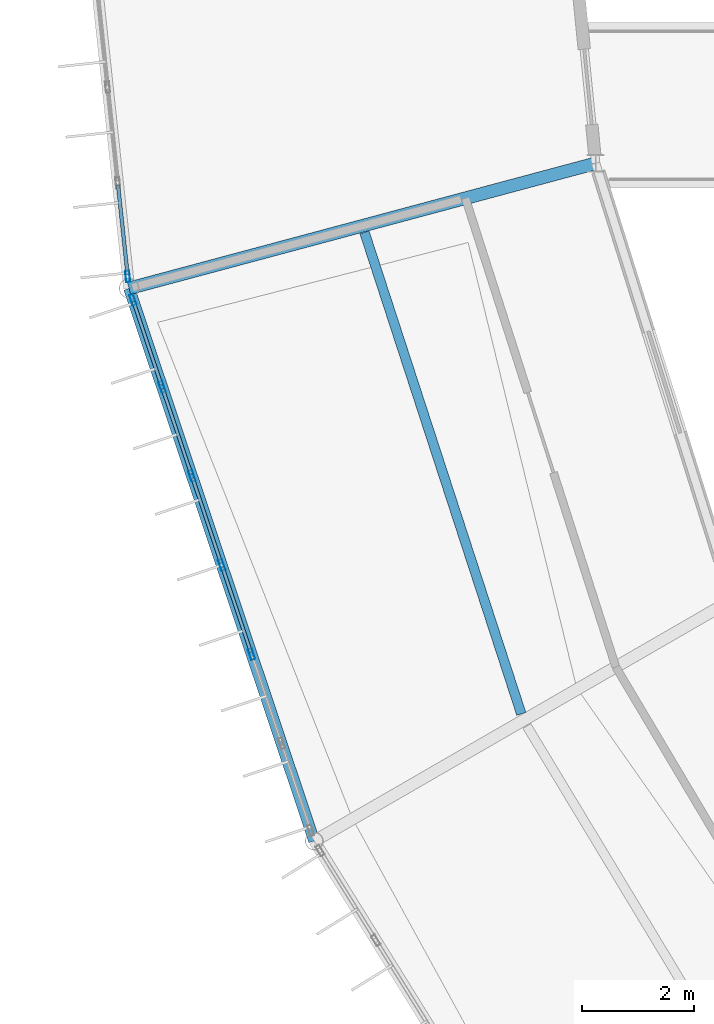
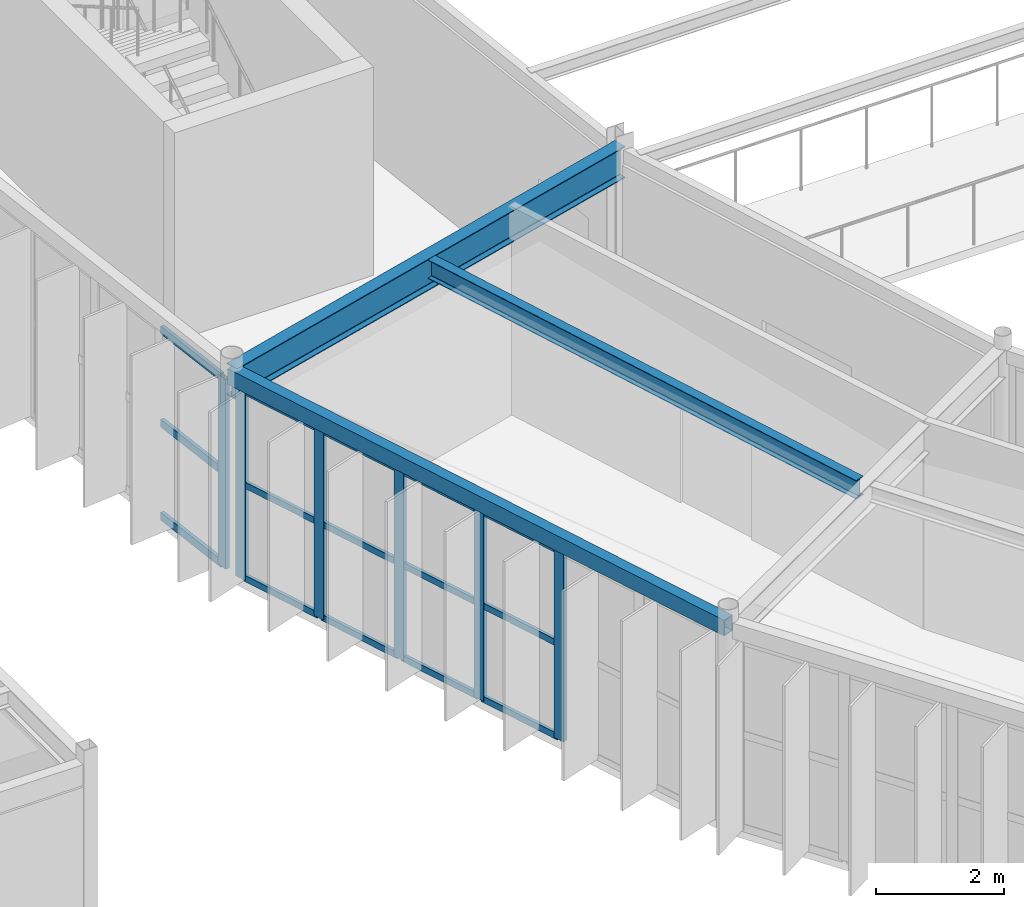
# One storey, part 41 of 148: 21 members, 3 beams, 2 elements without a shape of their own.
"""IFC4 building model written with IfcOpenShell, lengths in metres."""

from ifc_helpers import new_model, si_unit, direction, frame, origin, origin_2d, place, context, subcontext, project, spatial, hollow_rectangle, i_section, extrude, material, material_profile, profile_set, type_object, element, aggregate, save


model = new_model("IFC4")

# Units and contexts
model_context = context("Model", 3, precision=1e-05, world=origin(), true_north=direction((0.0, 1.0)))
body_context = subcontext(model_context, "Body", "Model", "MODEL_VIEW")
ifc_project = project(units=[si_unit("LENGTHUNIT", "METRE"), si_unit("AREAUNIT", "SQUARE_METRE"), si_unit("VOLUMEUNIT", "CUBIC_METRE"), si_unit("PLANEANGLEUNIT", "RADIAN"), si_unit("MASSUNIT", "GRAM", prefix="KILO")], contexts=[model_context])

# Site, building, storey
site_placement = place(None, origin())
site = spatial("IfcSite", under=ifc_project, at=site_placement, CompositionType="ELEMENT")
building_placement = place(site_placement, origin())
building = spatial("IfcBuilding", under=site, at=building_placement, Name="Karori Crest Natural Sciences Institute", CompositionType="ELEMENT")
storey_placement = place(building_placement, frame((0.0, 0.0, 4.89990234375)))
storey = spatial("IfcBuildingStorey", under=building, at=storey_placement, Name="L01", CompositionType="ELEMENT", Elevation=4.89990234375)

# Beams
ifc_material_1 = material(Name="Hollow structural steel AS/NZS 1163 Grade C350", Category="steel")
ifc_material_profile_1 = material_profile(ifc_material_1, hollow_rectangle(XDim=0.199951171875, YDim=0.300048828125, WallThickness=0.010009765625, at=origin_2d()), Name="RHS300x200x10")
ifc_profile_set_1 = profile_set([ifc_material_profile_1], Name="Hollow structural steel AS/NZS 1163 Grade C350")
beam_type_1 = type_object("IfcBeamType", Name="BT-15", PredefinedType="SPANDREL", material=ifc_profile_set_1)
beam_1_placement = place(storey_placement, frame((34.5244140625, 39.340087890625, 3.7900390625), z_axis=(0.317688324477, -0.948195195353, 0.0), x_axis=(0.948195195353, 0.317688324477, 0.0)))
element("IfcBeam", 1, at=beam_1_placement, inside=storey, type_object=beam_type_1, Name="Beam B-0228", PredefinedType="SPANDREL", context=body_context, shape_type="SweptSolid", body=[
    extrude(hollow_rectangle(XDim=0.199951171875, YDim=0.300048828125, WallThickness=0.010009765625, at=origin_2d()), origin(), (0.0, 0.0, 1.0), 10.377685546875),
])
ifc_material_2 = material(Name="Structural steel AS/NZS 3679.1 Grade 350", Category="steel")
ifc_material_profile_2 = material_profile(ifc_material_2, i_section(OverallWidth=0.22802734375, OverallDepth=0.60205078125, WebThickness=0.010498046875, FlangeThickness=0.014892578125, FilletRadius=0.013916015625, at=origin_2d()), Name="610UB101")
ifc_profile_set_2 = profile_set([ifc_material_profile_2], Name="Structural steel AS/NZS 3679.1 Grade 350")
beam_type_2 = type_object("IfcBeamType", Name="BT-27", PredefinedType="BEAM", material=ifc_profile_set_2)
beam_2_placement = place(storey_placement, frame((42.831298828125, 41.56591796875, 3.63916015625), z_axis=(-0.965925622404, -0.258819806009, 0.0), x_axis=(0.258819806009, -0.965925622404, 0.0)))
element("IfcBeam", 2, at=beam_2_placement, inside=storey, type_object=beam_type_2, Name="Beam B-0230", PredefinedType="BEAM", context=body_context, shape_type="SweptSolid", body=[
    extrude(i_section(OverallWidth=0.22802734375, OverallDepth=0.60205078125, WebThickness=0.010498046875, FlangeThickness=0.014892578125, FilletRadius=0.013916015625, at=origin_2d()), origin(), (0.0, 0.0, 1.0), 8.599853515625),
])
ifc_material_profile_3 = material_profile(ifc_material_2, i_section(OverallWidth=0.1708984375, OverallDepth=0.35595703125, WebThickness=0.00732421875, FlangeThickness=0.011474609375, FilletRadius=0.010986328125, at=origin_2d()), Name="360UB50.7")
ifc_profile_set_3 = profile_set([ifc_material_profile_3], Name="Structural steel AS/NZS 3679.1 Grade 350")
beam_type_3 = type_object("IfcBeamType", Name="BT-30", PredefinedType="BEAM", material=ifc_profile_set_3)
beam_3_placement = place(storey_placement, frame((38.715087890625, 40.339111328125, 3.76220703125), z_axis=(0.309674277679, -0.950842700842, 0.0), x_axis=(0.950842700842, 0.309674277679, 0.0)))
element("IfcBeam", 3, at=beam_3_placement, inside=storey, type_object=beam_type_3, Name="Beam B-0231", PredefinedType="BEAM", context=body_context, shape_type="SweptSolid", body=[
    extrude(i_section(OverallWidth=0.1708984375, OverallDepth=0.35595703125, WebThickness=0.00732421875, FlangeThickness=0.011474609375, FilletRadius=0.010986328125, at=origin_2d()), origin(), (0.0, 0.0, 1.0), 9.018310546875),
])

# Curtain wall, member
ifc_material_3 = material(Name="Anodised architectural aluminium 6063-T6", Category="aluminium")
curtain_wall_type_1 = type_object("IfcCurtainWallType", Name="CWT-03", PredefinedType="NOTDEFINED", material=ifc_material_3)
curtain_wall_1_placement = place(storey_placement, origin())
curtain_wall_1 = element("IfcCurtainWall", 4, at=curtain_wall_1_placement, inside=storey, type_object=curtain_wall_type_1, Name="Curtain wall CW-0048", PredefinedType="NOTDEFINED")
ifc_material_profile_4 = material_profile(ifc_material_3, hollow_rectangle(XDim=0.074951171875, YDim=0.199951171875, WallThickness=0.0048828125, at=origin_2d()), Name="CWM200x75x5")
ifc_profile_set_4 = profile_set([ifc_material_profile_4], Name="Anodised architectural aluminium 6063-T6")
member_type_1 = type_object("IfcMemberType", Name="CWM-02", PredefinedType="MULLION", material=ifc_profile_set_4)
member_1_placement = place(storey_placement, frame((34.501708984375, 39.55224609375, 0.0), z_axis=(0.0, 0.0, 1.0), x_axis=(-0.994378742451, -0.105881615789, 0.0)))
member_1 = element("IfcMember", 5, at=member_1_placement, type_object=member_type_1, Name="CW-0048 mullion 1", PredefinedType="MULLION", context=body_context, shape_type="SweptSolid", body=[
    extrude(hollow_rectangle(XDim=0.074951171875, YDim=0.199951171875, WallThickness=0.0048828125, at=origin_2d()), origin(), (0.0, 0.0, 1.0), 3.625),
])

# Curtain wall, members
curtain_wall_type_2 = type_object("IfcCurtainWallType", Name="CWT-04", PredefinedType="NOTDEFINED", material=ifc_material_3)
curtain_wall_2_placement = place(storey_placement, origin())
curtain_wall_2 = element("IfcCurtainWall", 6, at=curtain_wall_2_placement, inside=storey, type_object=curtain_wall_type_2, Name="Curtain wall CW-0049", PredefinedType="NOTDEFINED")
member_2_placement = place(storey_placement, frame((36.70703125, 32.82568359375, 0.0), z_axis=(0.0, 0.0, 1.0), x_axis=(-0.948196219586, -0.317685267462, 0.0)))
member_2 = element("IfcMember", 7, at=member_2_placement, type_object=member_type_1, Name="CW-0049 mullion 3", PredefinedType="MULLION", context=body_context, shape_type="SweptSolid", body=[
    extrude(hollow_rectangle(XDim=0.074951171875, YDim=0.199951171875, WallThickness=0.0048828125, at=origin_2d()), origin(), (0.0, 0.0, 1.0), 3.625),
])
member_3_placement = place(storey_placement, frame((36.17529296875, 34.41259765625, 0.0), z_axis=(0.0, 0.0, 1.0), x_axis=(-0.948196219586, -0.317685267462, 0.0)))
member_3 = element("IfcMember", 8, at=member_3_placement, type_object=member_type_1, Name="CW-0049 mullion 4", PredefinedType="MULLION", context=body_context, shape_type="SweptSolid", body=[
    extrude(hollow_rectangle(XDim=0.074951171875, YDim=0.199951171875, WallThickness=0.0048828125, at=origin_2d()), origin(), (0.0, 0.0, 1.0), 3.625),
])
member_4_placement = place(storey_placement, frame((35.6435546875, 35.99951171875, 0.0), z_axis=(0.0, 0.0, 1.0), x_axis=(-0.948196219586, -0.317685267462, 0.0)))
member_4 = element("IfcMember", 9, at=member_4_placement, type_object=member_type_1, Name="CW-0049 mullion 5", PredefinedType="MULLION", context=body_context, shape_type="SweptSolid", body=[
    extrude(hollow_rectangle(XDim=0.074951171875, YDim=0.199951171875, WallThickness=0.0048828125, at=origin_2d()), origin(), (0.0, 0.0, 1.0), 3.625),
])
member_5_placement = place(storey_placement, frame((35.11181640625, 37.58642578125, 0.0), z_axis=(0.0, 0.0, 1.0), x_axis=(-0.948196219586, -0.317685267462, 0.0)))
member_5 = element("IfcMember", 10, at=member_5_placement, type_object=member_type_1, Name="CW-0049 mullion 6", PredefinedType="MULLION", context=body_context, shape_type="SweptSolid", body=[
    extrude(hollow_rectangle(XDim=0.074951171875, YDim=0.199951171875, WallThickness=0.0048828125, at=origin_2d()), origin(), (0.0, 0.0, 1.0), 3.625),
])
member_6_placement = place(storey_placement, frame((34.592041015625, 39.137939453125, 0.0), z_axis=(0.0, 0.0, 1.0), x_axis=(-0.948196219586, -0.317685267462, 0.0)))
member_6 = element("IfcMember", 11, at=member_6_placement, type_object=member_type_1, Name="CW-0049 mullion 7", PredefinedType="MULLION", context=body_context, shape_type="SweptSolid", body=[
    extrude(hollow_rectangle(XDim=0.074951171875, YDim=0.199951171875, WallThickness=0.0048828125, at=origin_2d()), origin(), (0.0, 0.0, 1.0), 3.625),
])
ifc_material_profile_5 = material_profile(ifc_material_3, hollow_rectangle(XDim=0.06005859375, YDim=0.1201171875, WallThickness=0.00390625, at=origin_2d()), Name="CWT120x60x4")
ifc_profile_set_5 = profile_set([ifc_material_profile_5], Name="Anodised architectural aluminium 6063-T6")
member_type_2 = type_object("IfcMemberType", Name="CWT-TR1", PredefinedType="USERDEFINED", material=ifc_profile_set_5)
member_7_placement = place(storey_placement, frame((36.695068359375, 32.861083984375, 0.030029296875), z_axis=(-0.317647663217, 0.948208817747, 0.0), x_axis=(-0.948208817747, -0.317647663217, 0.0)))
member_7 = element("IfcMember", 12, at=member_7_placement, type_object=member_type_2, Name="CW-0049 transom 3.1", ObjectType="TRANSOM", PredefinedType="USERDEFINED", context=body_context, shape_type="SweptSolid", body=[
    extrude(hollow_rectangle(XDim=0.06005859375, YDim=0.1201171875, WallThickness=0.00390625, at=origin_2d()), origin(), (0.0, 0.0, 1.0), 1.5986328125),
])
member_8_placement = place(storey_placement, frame((36.695068359375, 32.861083984375, 1.8125), z_axis=(-0.317647663217, 0.948208817747, 0.0), x_axis=(-0.948208817747, -0.317647663217, 0.0)))
member_8 = element("IfcMember", 13, at=member_8_placement, type_object=member_type_2, Name="CW-0049 transom 3.2", ObjectType="TRANSOM", PredefinedType="USERDEFINED", context=body_context, shape_type="SweptSolid", body=[
    extrude(hollow_rectangle(XDim=0.06005859375, YDim=0.1201171875, WallThickness=0.00390625, at=origin_2d()), origin(), (0.0, 0.0, 1.0), 1.5986328125),
])
member_9_placement = place(storey_placement, frame((36.695068359375, 32.861083984375, 3.59521484375), z_axis=(-0.317647663217, 0.948208817747, 0.0), x_axis=(-0.948208817747, -0.317647663217, 0.0)))
member_9 = element("IfcMember", 14, at=member_9_placement, type_object=member_type_2, Name="CW-0049 transom 3.3", ObjectType="TRANSOM", PredefinedType="USERDEFINED", context=body_context, shape_type="SweptSolid", body=[
    extrude(hollow_rectangle(XDim=0.06005859375, YDim=0.1201171875, WallThickness=0.00390625, at=origin_2d()), origin(), (0.0, 0.0, 1.0), 1.5986328125),
])
member_10_placement = place(storey_placement, frame((36.163330078125, 34.4482421875, 0.030029296875), z_axis=(-0.317647663217, 0.948208817747, 0.0), x_axis=(-0.948208817747, -0.317647663217, 0.0)))
member_10 = element("IfcMember", 15, at=member_10_placement, type_object=member_type_2, Name="CW-0049 transom 4.1", ObjectType="TRANSOM", PredefinedType="USERDEFINED", context=body_context, shape_type="SweptSolid", body=[
    extrude(hollow_rectangle(XDim=0.06005859375, YDim=0.1201171875, WallThickness=0.00390625, at=origin_2d()), origin(), (0.0, 0.0, 1.0), 1.5986328125),
])
member_11_placement = place(storey_placement, frame((36.163330078125, 34.4482421875, 1.8125), z_axis=(-0.317647663217, 0.948208817747, 0.0), x_axis=(-0.948208817747, -0.317647663217, 0.0)))
member_11 = element("IfcMember", 16, at=member_11_placement, type_object=member_type_2, Name="CW-0049 transom 4.2", ObjectType="TRANSOM", PredefinedType="USERDEFINED", context=body_context, shape_type="SweptSolid", body=[
    extrude(hollow_rectangle(XDim=0.06005859375, YDim=0.1201171875, WallThickness=0.00390625, at=origin_2d()), origin(), (0.0, 0.0, 1.0), 1.5986328125),
])
member_12_placement = place(storey_placement, frame((36.163330078125, 34.4482421875, 3.59521484375), z_axis=(-0.317647663217, 0.948208817747, 0.0), x_axis=(-0.948208817747, -0.317647663217, 0.0)))
member_12 = element("IfcMember", 17, at=member_12_placement, type_object=member_type_2, Name="CW-0049 transom 4.3", ObjectType="TRANSOM", PredefinedType="USERDEFINED", context=body_context, shape_type="SweptSolid", body=[
    extrude(hollow_rectangle(XDim=0.06005859375, YDim=0.1201171875, WallThickness=0.00390625, at=origin_2d()), origin(), (0.0, 0.0, 1.0), 1.5986328125),
])
member_13_placement = place(storey_placement, frame((35.631591796875, 36.03515625, 0.030029296875), z_axis=(-0.317647663217, 0.948208817747, 0.0), x_axis=(-0.948208817747, -0.317647663217, 0.0)))
member_13 = element("IfcMember", 18, at=member_13_placement, type_object=member_type_2, Name="CW-0049 transom 5.1", ObjectType="TRANSOM", PredefinedType="USERDEFINED", context=body_context, shape_type="SweptSolid", body=[
    extrude(hollow_rectangle(XDim=0.06005859375, YDim=0.1201171875, WallThickness=0.00390625, at=origin_2d()), origin(), (0.0, 0.0, 1.0), 1.5986328125),
])
member_14_placement = place(storey_placement, frame((35.631591796875, 36.03515625, 1.8125), z_axis=(-0.317647663217, 0.948208817747, 0.0), x_axis=(-0.948208817747, -0.317647663217, 0.0)))
member_14 = element("IfcMember", 19, at=member_14_placement, type_object=member_type_2, Name="CW-0049 transom 5.2", ObjectType="TRANSOM", PredefinedType="USERDEFINED", context=body_context, shape_type="SweptSolid", body=[
    extrude(hollow_rectangle(XDim=0.06005859375, YDim=0.1201171875, WallThickness=0.00390625, at=origin_2d()), origin(), (0.0, 0.0, 1.0), 1.5986328125),
])
member_15_placement = place(storey_placement, frame((35.631591796875, 36.03515625, 3.59521484375), z_axis=(-0.317647663217, 0.948208817747, 0.0), x_axis=(-0.948208817747, -0.317647663217, 0.0)))
member_15 = element("IfcMember", 20, at=member_15_placement, type_object=member_type_2, Name="CW-0049 transom 5.3", ObjectType="TRANSOM", PredefinedType="USERDEFINED", context=body_context, shape_type="SweptSolid", body=[
    extrude(hollow_rectangle(XDim=0.06005859375, YDim=0.1201171875, WallThickness=0.00390625, at=origin_2d()), origin(), (0.0, 0.0, 1.0), 1.5986328125),
])
member_16_placement = place(storey_placement, frame((35.10009765625, 37.6220703125, 0.030029296875), z_axis=(-0.317775562464, 0.948165962214, 0.0), x_axis=(-0.948165962214, -0.317775562464, 0.0)))
member_16 = element("IfcMember", 21, at=member_16_placement, type_object=member_type_2, Name="CW-0049 transom 6.1", ObjectType="TRANSOM", PredefinedType="USERDEFINED", context=body_context, shape_type="SweptSolid", body=[
    extrude(hollow_rectangle(XDim=0.06005859375, YDim=0.1201171875, WallThickness=0.00390625, at=origin_2d()), origin(), (0.0, 0.0, 1.0), 1.56103515625),
])
member_17_placement = place(storey_placement, frame((35.10009765625, 37.6220703125, 1.8125), z_axis=(-0.317775562464, 0.948165962214, 0.0), x_axis=(-0.948165962214, -0.317775562464, 0.0)))
member_17 = element("IfcMember", 22, at=member_17_placement, type_object=member_type_2, Name="CW-0049 transom 6.2", ObjectType="TRANSOM", PredefinedType="USERDEFINED", context=body_context, shape_type="SweptSolid", body=[
    extrude(hollow_rectangle(XDim=0.06005859375, YDim=0.1201171875, WallThickness=0.00390625, at=origin_2d()), origin(), (0.0, 0.0, 1.0), 1.56103515625),
])
member_18_placement = place(storey_placement, frame((35.10009765625, 37.6220703125, 3.59521484375), z_axis=(-0.317775562464, 0.948165962214, 0.0), x_axis=(-0.948165962214, -0.317775562464, 0.0)))
member_18 = element("IfcMember", 23, at=member_18_placement, type_object=member_type_2, Name="CW-0049 transom 6.3", ObjectType="TRANSOM", PredefinedType="USERDEFINED", context=body_context, shape_type="SweptSolid", body=[
    extrude(hollow_rectangle(XDim=0.06005859375, YDim=0.1201171875, WallThickness=0.00390625, at=origin_2d()), origin(), (0.0, 0.0, 1.0), 1.56103515625),
])
aggregate(curtain_wall_2, [member_2, member_3, member_4, member_5, member_6, member_7, member_8, member_9, member_10, member_11, member_12, member_13, member_14, member_15, member_16, member_17, member_18])

# Member
ifc_material_profile_6 = material_profile(ifc_material_3, hollow_rectangle(XDim=0.06494140625, YDim=0.14990234375, WallThickness=0.00390625, at=origin_2d()), Name="CWT150x65x4")
ifc_profile_set_6 = profile_set([ifc_material_profile_6], Name="Anodised architectural aluminium 6063-T6")
member_type_3 = type_object("IfcMemberType", Name="CWT-TR2", PredefinedType="USERDEFINED", material=ifc_profile_set_6)
member_19_placement = place(storey_placement, frame((34.497802734375, 39.589599609375, 0.03271484375), z_axis=(-0.105827760466, 0.9943844755, 0.0), x_axis=(-0.9943844755, -0.105827760466, 0.0)))
member_19 = element("IfcMember", 24, at=member_19_placement, type_object=member_type_3, Name="CW-0048 transom 1.1", ObjectType="TRANSOM", PredefinedType="USERDEFINED", context=body_context, shape_type="SweptSolid", body=[
    extrude(hollow_rectangle(XDim=0.06494140625, YDim=0.14990234375, WallThickness=0.00390625, at=origin_2d()), origin(), (0.0, 0.0, 1.0), 1.60107421875),
])

member_20_placement = place(storey_placement, frame((34.497802734375, 39.589599609375, 1.8125), z_axis=(-0.105827760466, 0.9943844755, 0.0), x_axis=(-0.9943844755, -0.105827760466, 0.0)))
member_20 = element("IfcMember", 25, at=member_20_placement, type_object=member_type_3, Name="CW-0048 transom 1.2", ObjectType="TRANSOM", PredefinedType="USERDEFINED", context=body_context, shape_type="SweptSolid", body=[
    extrude(hollow_rectangle(XDim=0.06494140625, YDim=0.14990234375, WallThickness=0.00390625, at=origin_2d()), origin(), (0.0, 0.0, 1.0), 1.60107421875),
])

member_21_placement = place(storey_placement, frame((34.497802734375, 39.589599609375, 3.592529296875), z_axis=(-0.105827760466, 0.9943844755, 0.0), x_axis=(-0.9943844755, -0.105827760466, 0.0)))
member_21 = element("IfcMember", 26, at=member_21_placement, type_object=member_type_3, Name="CW-0048 transom 1.3", ObjectType="TRANSOM", PredefinedType="USERDEFINED", context=body_context, shape_type="SweptSolid", body=[
    extrude(hollow_rectangle(XDim=0.06494140625, YDim=0.14990234375, WallThickness=0.00390625, at=origin_2d()), origin(), (0.0, 0.0, 1.0), 1.60107421875),
])

aggregate(curtain_wall_1, [member_1, member_19, member_20, member_21])

save(model, "model.ifc")
